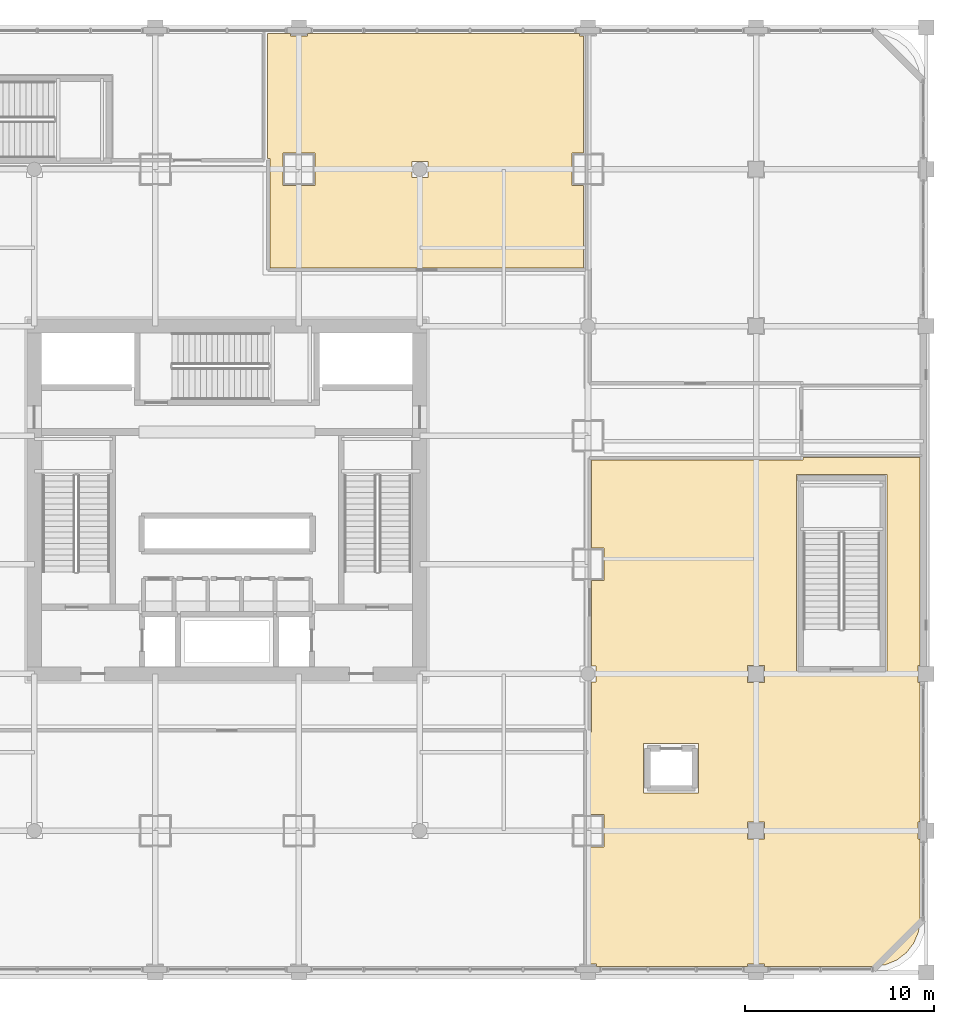
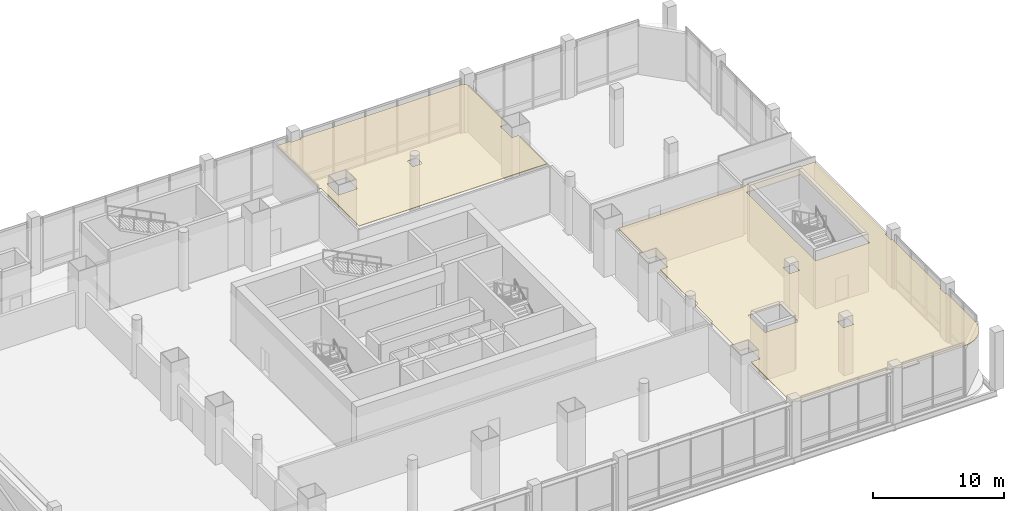
# One storey, part 34 of 35: 2 coverings.
"""IFC4 building model written with IfcOpenShell, lengths in metres."""

from ifc_helpers import new_model, si_unit, direction, frame, origin, place, context, subcontext, project, spatial, polyline, outline, extrude, material, layer, layer_set, type_object, element, save


model = new_model("IFC4")

# Units and contexts
model_context = context("Model", 3, precision=1e-05, world=origin(), true_north=direction((0.0, 1.0)))
body_context = subcontext(model_context, "Body", "Model", "MODEL_VIEW")
ifc_project = project(units=[si_unit("LENGTHUNIT", "METRE"), si_unit("AREAUNIT", "SQUARE_METRE"), si_unit("VOLUMEUNIT", "CUBIC_METRE"), si_unit("PLANEANGLEUNIT", "RADIAN"), si_unit("MASSUNIT", "GRAM", prefix="KILO")], contexts=[model_context])

# Site, building, storey
site_placement = place(None, origin())
site = spatial("IfcSite", under=ifc_project, at=site_placement, CompositionType="ELEMENT")
building_placement = place(site_placement, origin())
building = spatial("IfcBuilding", under=site, at=building_placement, Name="Punatoya Terracotta Tower", CompositionType="ELEMENT")
storey_placement = place(building_placement, frame((0.0, 0.0, 16.800048828125)))
storey = spatial("IfcBuildingStorey", under=building, at=storey_placement, Name="L03", CompositionType="ELEMENT", Elevation=16.800048828125)

# Coverings
ifc_material = material(Name="Acoustic Mineral Fibre Ceiling")
ifc_layer = layer(ifc_material, 0.06005859375)
ifc_layer_set = layer_set([ifc_layer], Name="Acoustic Mineral Fibre Ceiling")
covering_type = type_object("IfcCoveringType", Name="COV-CEIL-60", PredefinedType="CEILING", material=ifc_layer_set)
covering_1_placement = place(storey_placement, frame((0.0, 0.0, 4.5)))
element("IfcCovering", 1, at=covering_1_placement, inside=storey, type_object=covering_type, Name="L03 South-East Townhall Seminar Room Acoustic Ceiling", PredefinedType="CEILING", context=body_context, shape_type="SweptSolid", body=[
    extrude(outline(polyline([(36.679931640625, -8.75), (36.679931640625, 2.260009765625), (30.47998046875, 2.260009765625), (30.47998046875, 2.1201171875), (19.280029296875, 2.1201171875), (19.280029296875, -2.550048828125), (19.949951171875, -2.550048828125), (19.949951171875, -4.25), (19.280029296875, -4.25), (19.280029296875, -8.77490234375), (19.52490234375, -8.77490234375), (19.52490234375, -9.625), (19.280029296875, -9.625), (19.280029296875, -12.280029296875), (19.139892578125, -12.280029296875), (19.139892578125, -16.64990234375), (19.949951171875, -16.64990234375), (19.949951171875, -18.35009765625), (19.139892578125, -18.35009765625), (19.139892578125, -24.550048828125), (19.550048828125, -24.550048828125), (19.550048828125, -24.679931640625), (27.550048828125, -24.679931640625), (27.550048828125, -24.550048828125), (28.449951171875, -24.550048828125), (28.449951171875, -24.679931640625), (34.178955078125, -24.679931640625), (34.84130859375, -24.5927734375), (35.438720703125, -24.345458984375), (35.95166015625, -23.95166015625), (36.345458984375, -23.438720703125), (36.5927734375, -22.84130859375), (36.679931640625, -22.178955078125), (36.679931640625, -17.949951171875), (36.550048828125, -17.949951171875), (36.550048828125, -17.050048828125), (36.679931640625, -17.050048828125), (36.679931640625, -9.64990234375), (36.550048828125, -9.64990234375), (36.550048828125, -8.75), (36.679931640625, -8.75)]), holes=[polyline([(34.909912109375, 1.360107421875), (34.909912109375, -9.159912109375), (30.139892578125, -9.159912109375), (30.139892578125, 1.360107421875), (34.909912109375, 1.360107421875)]), polyline([(27.550048828125, -17.949951171875), (27.550048828125, -17.050048828125), (28.449951171875, -17.050048828125), (28.449951171875, -17.949951171875), (27.550048828125, -17.949951171875)]), polyline([(28.449951171875, -8.75), (28.449951171875, -9.64990234375), (27.550048828125, -9.64990234375), (27.550048828125, -8.75), (28.449951171875, -8.75)]), polyline([(22.0400390625, -12.889892578125), (24.9599609375, -12.889892578125), (24.9599609375, -15.510009765625), (22.0400390625, -15.510009765625), (22.0400390625, -12.889892578125)])]), origin(), (0.0, 0.0, 1.0), 0.06005859375),
])
covering_2_placement = place(storey_placement, frame((0.0, 0.0, 4.5)))
element("IfcCovering", 2, at=covering_2_placement, inside=storey, type_object=covering_type, Name="L03 North Speakers' Lounge and Tea Pantry Acoustic Ceiling", PredefinedType="CEILING", context=body_context, shape_type="SweptSolid", body=[
    extrude(outline(polyline([(18.64990234375, 24.679931640625), (4.25, 24.679931640625), (4.25, 24.550048828125), (3.35009765625, 24.550048828125), (3.35009765625, 24.679931640625), (2.139892578125, 24.679931640625), (2.139892578125, 18.080078125), (2.280029296875, 18.080078125), (2.280029296875, 12.280029296875), (18.860107421875, 12.280029296875), (18.860107421875, 16.64990234375), (18.25, 16.64990234375), (18.25, 18.35009765625), (18.860107421875, 18.35009765625), (18.860107421875, 24.550048828125), (18.64990234375, 24.550048828125), (18.64990234375, 24.679931640625)]), holes=[polyline([(10.625, 17.074951171875), (9.77490234375, 17.074951171875), (9.77490234375, 17.925048828125), (10.625, 17.925048828125), (10.625, 17.074951171875)]), polyline([(2.949951171875, 18.35009765625), (4.64990234375, 18.35009765625), (4.64990234375, 16.64990234375), (2.949951171875, 16.64990234375), (2.949951171875, 18.35009765625)])]), origin(), (0.0, 0.0, 1.0), 0.06005859375),
])

save(model, "model.ifc")
